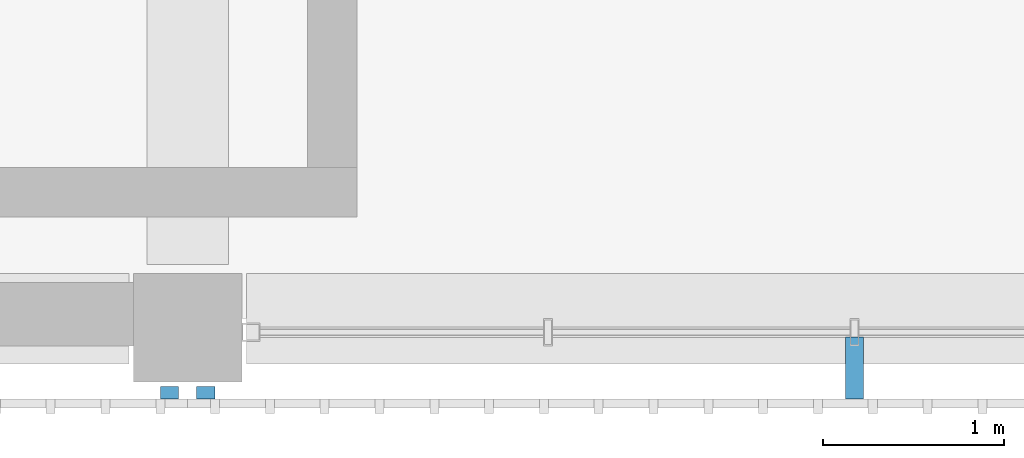
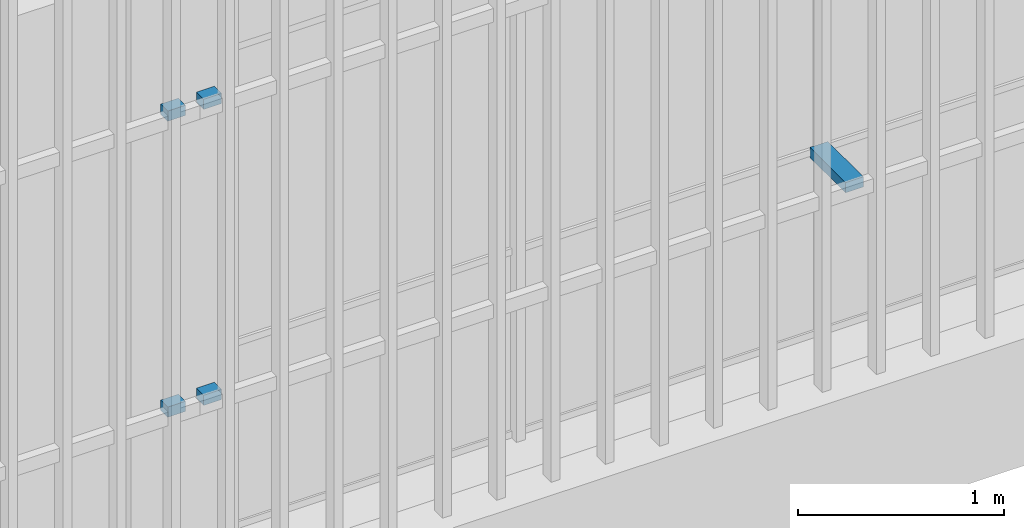
# One storey, part 73 of 104: 5 discrete accessories.
"""IFC4 building model written with IfcOpenShell, lengths in metres."""

from ifc_helpers import new_model, si_unit, direction, frame, origin, origin_2d, place, context, subcontext, project, spatial, rectangle, extrude, material, type_object, element, save


model = new_model("IFC4")

# Units and contexts
model_context = context("Model", 3, precision=1e-05, world=origin(), true_north=direction((0.0, 1.0)))
body_context = subcontext(model_context, "Body", "Model", "MODEL_VIEW")
ifc_project = project(units=[si_unit("LENGTHUNIT", "METRE"), si_unit("AREAUNIT", "SQUARE_METRE"), si_unit("VOLUMEUNIT", "CUBIC_METRE"), si_unit("PLANEANGLEUNIT", "RADIAN"), si_unit("MASSUNIT", "GRAM", prefix="KILO")], contexts=[model_context])

# Site, building, storey
site_placement = place(None, origin())
site = spatial("IfcSite", under=ifc_project, at=site_placement, CompositionType="ELEMENT")
building_placement = place(site_placement, origin())
building = spatial("IfcBuilding", under=site, at=building_placement, Name="Shirokan Park Arena", CompositionType="ELEMENT")
storey_placement = place(building_placement, frame((0.0, 0.0, 10.919921875)))
storey = spatial("IfcBuildingStorey", under=building, at=storey_placement, Name="L02", CompositionType="ELEMENT", Elevation=10.919921875)

# Discrete accessories
ifc_material = material(Name="Steel S355", Category="steel")
discrete_accessory_type = type_object("IfcDiscreteAccessoryType", Name="Veil bracket 100x60", PredefinedType="BRACKET", material=ifc_material)
for number, where, z_axis, x_axis, name in (
    (1, (27.199951171875, -0.409912109375, 1.070068359375), (0.0, 0.0, 1.0), (1.0, 0.0, 0.0), "Veil bracket south bay 3 L02 2"),
    (2, (27.199951171875, -0.409912109375, 2.820068359375), (0.0, 0.0, 1.0), (1.0, 0.0, 0.0), "Veil bracket south bay 3 L02 4"),
    (3, (27.39990234375, -0.409912109375, 1.070068359375), (0.0, 0.0, 1.0), (1.0, 0.0, 0.0), "Veil bracket south bay 4 L02 1"),
    (4, (27.39990234375, -0.409912109375, 2.820068359375), (0.0, 0.0, 1.0), (1.0, 0.0, 0.0), "Veil bracket south bay 4 L02 3"),
):
    element("IfcDiscreteAccessory", number, at=place(storey_placement, frame(where, z_axis=z_axis, x_axis=x_axis)), inside=storey, type_object=discrete_accessory_type, Name=name, PredefinedType="BRACKET", context=body_context, shape_type="SweptSolid", body=[
        extrude(rectangle(XDim=0.10009765625, YDim=0.070068359375, at=origin_2d()), origin(), (0.0, 0.0, 1.0), 0.06005859375),
    ])
discrete_accessory_placement = place(storey_placement, frame((30.989990234375, -0.2724609375, 1.070068359375), z_axis=(0.0, 0.0, 1.0), x_axis=(1.0, 0.0, 0.0)))
element("IfcDiscreteAccessory", 5, at=discrete_accessory_placement, inside=storey, type_object=discrete_accessory_type, Name="Veil bracket south bay 4 L02 wall 1", PredefinedType="BRACKET", context=body_context, shape_type="SweptSolid", body=[
    extrude(rectangle(XDim=0.10009765625, YDim=0.344970703125, at=origin_2d()), origin(), (0.0, 0.0, 1.0), 0.06005859375),
])

save(model, "model.ifc")
